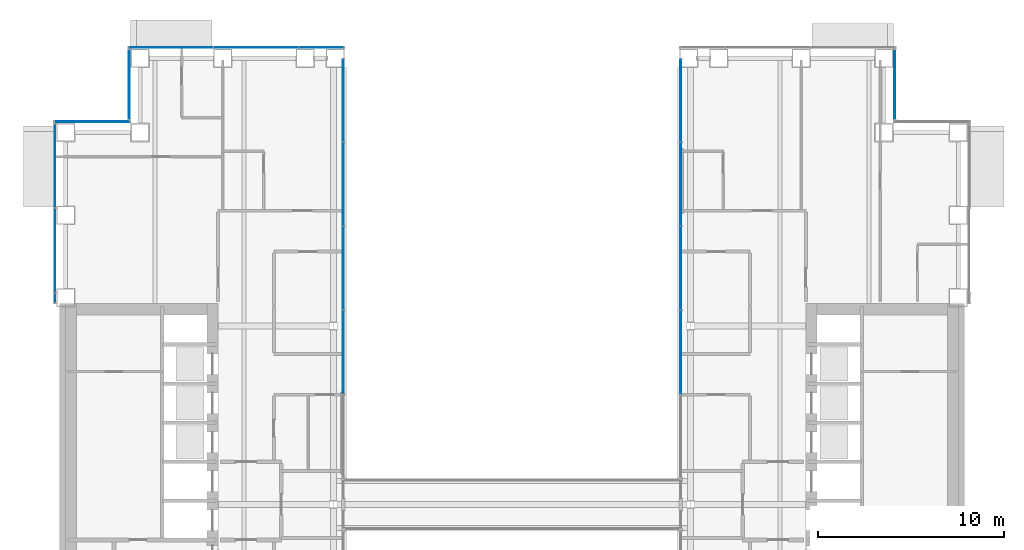
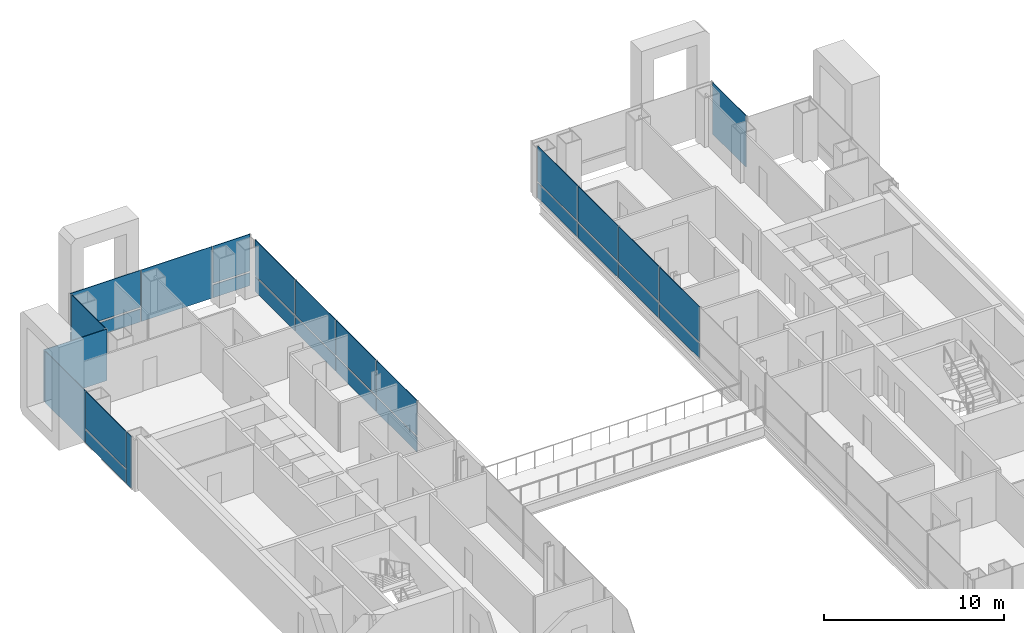
# One storey, part 12 of 21: 28 plates, 7 elements without a shape of their own.
"""IFC4 building model written with IfcOpenShell, lengths in metres."""

from ifc_helpers import new_model, si_unit, direction, frame, origin, origin_2d, place, context, subcontext, project, spatial, rectangle, extrude, material, layer, layer_set, type_object, element, aggregate, save


model = new_model("IFC4")

# Units and contexts
model_context = context("Model", 3, precision=1e-05, world=origin(), true_north=direction((0.0, 1.0)))
body_context = subcontext(model_context, "Body", "Model", "MODEL_VIEW")
ifc_project = project(units=[si_unit("LENGTHUNIT", "METRE"), si_unit("AREAUNIT", "SQUARE_METRE"), si_unit("VOLUMEUNIT", "CUBIC_METRE"), si_unit("PLANEANGLEUNIT", "RADIAN"), si_unit("MASSUNIT", "GRAM", prefix="KILO")], contexts=[model_context])

# Site, building, storey
site_placement = place(None, origin())
site = spatial("IfcSite", under=ifc_project, at=site_placement, CompositionType="ELEMENT")
building_placement = place(site_placement, origin())
building = spatial("IfcBuilding", under=site, at=building_placement, Name="Cobrizo Arcos Hotel Tower", CompositionType="ELEMENT")
storey_placement = place(building_placement, frame((0.0, 0.0, 74.0)))
storey = spatial("IfcBuildingStorey", under=building, at=storey_placement, Name="L17", CompositionType="ELEMENT", Elevation=74.0)

# Curtain wall, plates
ifc_material_1 = material(Name="Aluminium 6063-T6 anodised bronze", Category="aluminium")
curtain_wall_type_1 = type_object("IfcCurtainWallType", Name="CW-A guest facade", PredefinedType="NOTDEFINED", material=ifc_material_1)
curtain_wall_1_placement = place(storey_placement, origin())
curtain_wall_1 = element("IfcCurtainWall", 1, at=curtain_wall_1_placement, inside=storey, type_object=curtain_wall_type_1, Name="CW-A L17 N face", PredefinedType="NOTDEFINED")
ifc_material_2 = material(Name="Glass clear laminated low-e", Category="glass")
ifc_layer_1 = layer(ifc_material_2, 0.0400390625)
ifc_layer_set_1 = layer_set([ifc_layer_1], Name="CW-A glass panel")
plate_type_1 = type_object("IfcPlateType", Name="CW-A glass panel", PredefinedType="CURTAIN_PANEL", material=ifc_layer_set_1)
plate_1_placement = place(storey_placement, frame((-10.251220703125, 24.574951171875, 0.990234375), z_axis=(0.0, 0.0, 1.0), x_axis=(-1.0, 0.0, 0.0)))
plate_1 = element("IfcPlate", 2, at=plate_1_placement, type_object=plate_type_1, Name="CW-A glass panel 736", PredefinedType="CURTAIN_PANEL", context=body_context, shape_type="SweptSolid", body=[
    extrude(rectangle(XDim=2.38232421875, YDim=0.0400390625, at=origin_2d()), origin(), (0.0, 0.0, 1.0), 2.510009765625),
])
plate_2_placement = place(storey_placement, frame((-18.340576171875, 24.574951171875, 0.990234375), z_axis=(0.0, 0.0, 1.0), x_axis=(-1.0, 0.0, 0.0)))
plate_2 = element("IfcPlate", 3, at=plate_2_placement, type_object=plate_type_1, Name="CW-A glass panel 738", PredefinedType="CURTAIN_PANEL", context=body_context, shape_type="SweptSolid", body=[
    extrude(rectangle(XDim=4.498779296875, YDim=0.0400390625, at=origin_2d()), origin(), (0.0, 0.0, 1.0), 2.510009765625),
])

# Curtain wall, plate
curtain_wall_2_placement = place(storey_placement, origin())
curtain_wall_2 = element("IfcCurtainWall", 4, at=curtain_wall_2_placement, inside=storey, type_object=curtain_wall_type_1, Name="CW-A L17 W face", PredefinedType="NOTDEFINED")
plate_3_placement = place(storey_placement, frame((-24.574951171875, 13.666748046875, 0.990234375), z_axis=(0.0, 0.0, 1.0), x_axis=(0.0, -1.0, 0.0)))
plate_3 = element("IfcPlate", 5, at=plate_3_placement, type_object=plate_type_1, Name="CW-A glass panel 742", PredefinedType="CURTAIN_PANEL", context=body_context, shape_type="SweptSolid", body=[
    extrude(rectangle(XDim=4.49560546875, YDim=0.0400390625, at=origin_2d()), origin(), (0.0, 0.0, 1.0), 2.510009765625),
])

curtain_wall_3_placement = place(storey_placement, origin())
curtain_wall_3 = element("IfcCurtainWall", 6, at=curtain_wall_3_placement, inside=storey, type_object=curtain_wall_type_1, Name="CW-A L17 E face", PredefinedType="NOTDEFINED")
ifc_material_3 = material(Name="Aluminium composite panel pale metal", Category="aluminium")
ifc_layer_2 = layer(ifc_material_3, 0.0400390625)
ifc_layer_set_2 = layer_set([ifc_layer_2], Name="CW-A spandrel panel")
plate_type_2 = type_object("IfcPlateType", Name="CW-A spandrel panel", PredefinedType="CURTAIN_PANEL", material=ifc_layer_set_2)
plate_4_placement = place(storey_placement, frame((20.574951171875, 22.574951171875, 0.0), z_axis=(0.0, 0.0, 1.0), x_axis=(0.0, 1.0, 0.0)))
plate_4 = element("IfcPlate", 7, at=plate_4_placement, type_object=plate_type_2, Name="CW-A spandrel panel 732", PredefinedType="CURTAIN_PANEL", context=body_context, shape_type="SweptSolid", body=[
    extrude(rectangle(XDim=3.72998046875, YDim=0.0400390625, at=origin_2d()), origin(), (0.0, 0.0, 1.0), 3.5),
])
aggregate(curtain_wall_3, [plate_4])

# Plate
plate_5_placement = place(storey_placement, frame((-10.251220703125, 24.574951171875, 0.0), z_axis=(0.0, 0.0, 1.0), x_axis=(-1.0, 0.0, 0.0)))
plate_5 = element("IfcPlate", 8, at=plate_5_placement, type_object=plate_type_2, Name="CW-A spandrel panel 736", PredefinedType="CURTAIN_PANEL", context=body_context, shape_type="SweptSolid", body=[
    extrude(rectangle(XDim=2.38232421875, YDim=0.0400390625, at=origin_2d()), origin(), (0.0, 0.0, 1.0), 0.8701171875),
])

plate_6_placement = place(storey_placement, frame((-13.7666015625, 24.574951171875, 0.0), z_axis=(0.0, 0.0, 1.0), x_axis=(-1.0, 0.0, 0.0)))
plate_6 = element("IfcPlate", 9, at=plate_6_placement, type_object=plate_type_2, Name="CW-A spandrel panel 737", PredefinedType="CURTAIN_PANEL", context=body_context, shape_type="SweptSolid", body=[
    extrude(rectangle(XDim=4.52880859375, YDim=0.0400390625, at=origin_2d()), origin(), (0.0, 0.0, 1.0), 3.5),
])

plate_7_placement = place(storey_placement, frame((-18.340576171875, 24.574951171875, 0.0), z_axis=(0.0, 0.0, 1.0), x_axis=(-1.0, 0.0, 0.0)))
plate_7 = element("IfcPlate", 10, at=plate_7_placement, type_object=plate_type_2, Name="CW-A spandrel panel 738", PredefinedType="CURTAIN_PANEL", context=body_context, shape_type="SweptSolid", body=[
    extrude(rectangle(XDim=4.498779296875, YDim=0.0400390625, at=origin_2d()), origin(), (0.0, 0.0, 1.0), 0.8701171875),
])

aggregate(curtain_wall_1, [plate_5, plate_1, plate_6, plate_7, plate_2])

# Curtain wall, plate
curtain_wall_4_placement = place(storey_placement, origin())
curtain_wall_4 = element("IfcCurtainWall", 11, at=curtain_wall_4_placement, inside=storey, type_object=curtain_wall_type_1, Name="CW-A L17 W face", PredefinedType="NOTDEFINED")
plate_8_placement = place(storey_placement, frame((-20.574951171875, 22.574951171875, 0.0), z_axis=(0.0, 0.0, 1.0), x_axis=(0.0, -1.0, 0.0)))
plate_8 = element("IfcPlate", 12, at=plate_8_placement, type_object=plate_type_2, Name="CW-A spandrel panel 739", PredefinedType="CURTAIN_PANEL", context=body_context, shape_type="SweptSolid", body=[
    extrude(rectangle(XDim=3.72998046875, YDim=0.0400390625, at=origin_2d()), origin(), (0.0, 0.0, 1.0), 3.5),
])
aggregate(curtain_wall_4, [plate_8])

curtain_wall_5_placement = place(storey_placement, origin())
curtain_wall_5 = element("IfcCurtainWall", 13, at=curtain_wall_5_placement, inside=storey, type_object=curtain_wall_type_1, Name="CW-A L17 N face", PredefinedType="NOTDEFINED")
plate_9_placement = place(storey_placement, frame((-22.574951171875, 20.574951171875, 0.0), z_axis=(0.0, 0.0, 1.0), x_axis=(-1.0, 0.0, 0.0)))
plate_9 = element("IfcPlate", 14, at=plate_9_placement, type_object=plate_type_2, Name="CW-A spandrel panel 740", PredefinedType="CURTAIN_PANEL", context=body_context, shape_type="SweptSolid", body=[
    extrude(rectangle(XDim=4.030029296875, YDim=0.0400390625, at=origin_2d()), origin(), (0.0, 0.0, 1.0), 3.5),
])
aggregate(curtain_wall_5, [plate_9])

# Plate
plate_10_placement = place(storey_placement, frame((-24.574951171875, 18.207275390625, 0.0), z_axis=(0.0, 0.0, 1.0), x_axis=(0.0, -1.0, 0.0)))
plate_10 = element("IfcPlate", 15, at=plate_10_placement, type_object=plate_type_2, Name="CW-A spandrel panel 741", PredefinedType="CURTAIN_PANEL", context=body_context, shape_type="SweptSolid", body=[
    extrude(rectangle(XDim=4.465576171875, YDim=0.0400390625, at=origin_2d()), origin(), (0.0, 0.0, 1.0), 3.5),
])

plate_11_placement = place(storey_placement, frame((-24.574951171875, 13.666748046875, 0.0), z_axis=(0.0, 0.0, 1.0), x_axis=(0.0, -1.0, 0.0)))
plate_11 = element("IfcPlate", 16, at=plate_11_placement, type_object=plate_type_2, Name="CW-A spandrel panel 742", PredefinedType="CURTAIN_PANEL", context=body_context, shape_type="SweptSolid", body=[
    extrude(rectangle(XDim=4.49560546875, YDim=0.0400390625, at=origin_2d()), origin(), (0.0, 0.0, 1.0), 0.8701171875),
])

plate_12_placement = place(storey_placement, frame((-24.574951171875, 11.109375, 0.0), z_axis=(0.0, 0.0, 1.0), x_axis=(0.0, -1.0, 0.0)))
plate_12 = element("IfcPlate", 17, at=plate_12_placement, type_object=plate_type_2, Name="CW-A spandrel panel 743", PredefinedType="CURTAIN_PANEL", context=body_context, shape_type="SweptSolid", body=[
    extrude(rectangle(XDim=0.498779296875, YDim=0.0400390625, at=origin_2d()), origin(), (0.0, 0.0, 1.0), 3.5),
])

aggregate(curtain_wall_2, [plate_10, plate_11, plate_3, plate_12])

# Curtain wall, plates
curtain_wall_type_2 = type_object("IfcCurtainWallType", Name="CW-F void screen", PredefinedType="NOTDEFINED", material=ifc_material_1)
curtain_wall_6_placement = place(storey_placement, origin())
curtain_wall_6 = element("IfcCurtainWall", 18, at=curtain_wall_6_placement, inside=storey, type_object=curtain_wall_type_2, Name="CW-F L17 void screen A", PredefinedType="NOTDEFINED")
ifc_layer_3 = layer(ifc_material_2, 0.0400390625)
ifc_layer_set_3 = layer_set([ifc_layer_3], Name="CW-F glass panel")
plate_type_3 = type_object("IfcPlateType", Name="CW-F glass panel", PredefinedType="CURTAIN_PANEL", material=ifc_layer_set_3)
plate_13_placement = place(storey_placement, frame((9.074951171875, 8.179931640625, 0.0), z_axis=(0.0, 0.0, 1.0), x_axis=(0.0, 1.0, 0.0)))
plate_13 = element("IfcPlate", 19, at=plate_13_placement, type_object=plate_type_3, Name="CW-F glass panel 2514", PredefinedType="CURTAIN_PANEL", context=body_context, shape_type="SweptSolid", body=[
    extrude(rectangle(XDim=4.4599609375, YDim=0.0400390625, at=origin_2d()), origin(), (0.0, 0.0, 1.0), 0.989990234375),
])
plate_14_placement = place(storey_placement, frame((9.074951171875, 8.179931640625, 1.10986328125), z_axis=(0.0, 0.0, 1.0), x_axis=(0.0, 1.0, 0.0)))
plate_14 = element("IfcPlate", 20, at=plate_14_placement, type_object=plate_type_3, Name="CW-F glass panel 2514", PredefinedType="CURTAIN_PANEL", context=body_context, shape_type="SweptSolid", body=[
    extrude(rectangle(XDim=4.4599609375, YDim=0.0400390625, at=origin_2d()), origin(), (0.0, 0.0, 1.0), 2.389892578125),
])
plate_15_placement = place(storey_placement, frame((9.074951171875, 12.699951171875, 0.0), z_axis=(0.0, 0.0, 1.0), x_axis=(0.0, 1.0, 0.0)))
plate_15 = element("IfcPlate", 21, at=plate_15_placement, type_object=plate_type_3, Name="CW-F glass panel 2515", PredefinedType="CURTAIN_PANEL", context=body_context, shape_type="SweptSolid", body=[
    extrude(rectangle(XDim=4.4599609375, YDim=0.0400390625, at=origin_2d()), origin(), (0.0, 0.0, 1.0), 0.989990234375),
])
plate_16_placement = place(storey_placement, frame((9.074951171875, 12.699951171875, 1.10986328125), z_axis=(0.0, 0.0, 1.0), x_axis=(0.0, 1.0, 0.0)))
plate_16 = element("IfcPlate", 22, at=plate_16_placement, type_object=plate_type_3, Name="CW-F glass panel 2515", PredefinedType="CURTAIN_PANEL", context=body_context, shape_type="SweptSolid", body=[
    extrude(rectangle(XDim=4.4599609375, YDim=0.0400390625, at=origin_2d()), origin(), (0.0, 0.0, 1.0), 2.389892578125),
])
plate_17_placement = place(storey_placement, frame((9.074951171875, 17.219970703125, 0.0), z_axis=(0.0, 0.0, 1.0), x_axis=(0.0, 1.0, 0.0)))
plate_17 = element("IfcPlate", 23, at=plate_17_placement, type_object=plate_type_3, Name="CW-F glass panel 2516", PredefinedType="CURTAIN_PANEL", context=body_context, shape_type="SweptSolid", body=[
    extrude(rectangle(XDim=4.4599609375, YDim=0.0400390625, at=origin_2d()), origin(), (0.0, 0.0, 1.0), 0.989990234375),
])
plate_18_placement = place(storey_placement, frame((9.074951171875, 17.219970703125, 1.10986328125), z_axis=(0.0, 0.0, 1.0), x_axis=(0.0, 1.0, 0.0)))
plate_18 = element("IfcPlate", 24, at=plate_18_placement, type_object=plate_type_3, Name="CW-F glass panel 2516", PredefinedType="CURTAIN_PANEL", context=body_context, shape_type="SweptSolid", body=[
    extrude(rectangle(XDim=4.4599609375, YDim=0.0400390625, at=origin_2d()), origin(), (0.0, 0.0, 1.0), 2.389892578125),
])
plate_19_placement = place(storey_placement, frame((9.074951171875, 21.72509765625, 0.0), z_axis=(0.0, 0.0, 1.0), x_axis=(0.0, 1.0, 0.0)))
plate_19 = element("IfcPlate", 25, at=plate_19_placement, type_object=plate_type_3, Name="CW-F glass panel 2517", PredefinedType="CURTAIN_PANEL", context=body_context, shape_type="SweptSolid", body=[
    extrude(rectangle(XDim=4.429931640625, YDim=0.0400390625, at=origin_2d()), origin(), (0.0, 0.0, 1.0), 0.989990234375),
])
plate_20_placement = place(storey_placement, frame((9.074951171875, 21.72509765625, 1.10986328125), z_axis=(0.0, 0.0, 1.0), x_axis=(0.0, 1.0, 0.0)))
plate_20 = element("IfcPlate", 26, at=plate_20_placement, type_object=plate_type_3, Name="CW-F glass panel 2517", PredefinedType="CURTAIN_PANEL", context=body_context, shape_type="SweptSolid", body=[
    extrude(rectangle(XDim=4.429931640625, YDim=0.0400390625, at=origin_2d()), origin(), (0.0, 0.0, 1.0), 2.389892578125),
])
aggregate(curtain_wall_6, [plate_13, plate_14, plate_15, plate_16, plate_17, plate_18, plate_19, plate_20])

curtain_wall_7_placement = place(storey_placement, origin())
curtain_wall_7 = element("IfcCurtainWall", 27, at=curtain_wall_7_placement, inside=storey, type_object=curtain_wall_type_2, Name="CW-F L17 void screen A", PredefinedType="NOTDEFINED")
plate_21_placement = place(storey_placement, frame((-9.074951171875, 21.72509765625, 0.0), z_axis=(0.0, 0.0, 1.0), x_axis=(0.0, -1.0, 0.0)))
plate_21 = element("IfcPlate", 28, at=plate_21_placement, type_object=plate_type_3, Name="CW-F glass panel 2518", PredefinedType="CURTAIN_PANEL", context=body_context, shape_type="SweptSolid", body=[
    extrude(rectangle(XDim=4.429931640625, YDim=0.0400390625, at=origin_2d()), origin(), (0.0, 0.0, 1.0), 0.989990234375),
])
plate_22_placement = place(storey_placement, frame((-9.074951171875, 21.72509765625, 1.10986328125), z_axis=(0.0, 0.0, 1.0), x_axis=(0.0, -1.0, 0.0)))
plate_22 = element("IfcPlate", 29, at=plate_22_placement, type_object=plate_type_3, Name="CW-F glass panel 2518", PredefinedType="CURTAIN_PANEL", context=body_context, shape_type="SweptSolid", body=[
    extrude(rectangle(XDim=4.429931640625, YDim=0.0400390625, at=origin_2d()), origin(), (0.0, 0.0, 1.0), 2.389892578125),
])
plate_23_placement = place(storey_placement, frame((-9.074951171875, 17.219970703125, 0.0), z_axis=(0.0, 0.0, 1.0), x_axis=(0.0, -1.0, 0.0)))
plate_23 = element("IfcPlate", 30, at=plate_23_placement, type_object=plate_type_3, Name="CW-F glass panel 2519", PredefinedType="CURTAIN_PANEL", context=body_context, shape_type="SweptSolid", body=[
    extrude(rectangle(XDim=4.4599609375, YDim=0.0400390625, at=origin_2d()), origin(), (0.0, 0.0, 1.0), 0.989990234375),
])
plate_24_placement = place(storey_placement, frame((-9.074951171875, 17.219970703125, 1.10986328125), z_axis=(0.0, 0.0, 1.0), x_axis=(0.0, -1.0, 0.0)))
plate_24 = element("IfcPlate", 31, at=plate_24_placement, type_object=plate_type_3, Name="CW-F glass panel 2519", PredefinedType="CURTAIN_PANEL", context=body_context, shape_type="SweptSolid", body=[
    extrude(rectangle(XDim=4.4599609375, YDim=0.0400390625, at=origin_2d()), origin(), (0.0, 0.0, 1.0), 2.389892578125),
])
plate_25_placement = place(storey_placement, frame((-9.074951171875, 12.699951171875, 0.0), z_axis=(0.0, 0.0, 1.0), x_axis=(0.0, -1.0, 0.0)))
plate_25 = element("IfcPlate", 32, at=plate_25_placement, type_object=plate_type_3, Name="CW-F glass panel 2520", PredefinedType="CURTAIN_PANEL", context=body_context, shape_type="SweptSolid", body=[
    extrude(rectangle(XDim=4.4599609375, YDim=0.0400390625, at=origin_2d()), origin(), (0.0, 0.0, 1.0), 0.989990234375),
])
plate_26_placement = place(storey_placement, frame((-9.074951171875, 12.699951171875, 1.10986328125), z_axis=(0.0, 0.0, 1.0), x_axis=(0.0, -1.0, 0.0)))
plate_26 = element("IfcPlate", 33, at=plate_26_placement, type_object=plate_type_3, Name="CW-F glass panel 2520", PredefinedType="CURTAIN_PANEL", context=body_context, shape_type="SweptSolid", body=[
    extrude(rectangle(XDim=4.4599609375, YDim=0.0400390625, at=origin_2d()), origin(), (0.0, 0.0, 1.0), 2.389892578125),
])
plate_27_placement = place(storey_placement, frame((-9.074951171875, 8.179931640625, 0.0), z_axis=(0.0, 0.0, 1.0), x_axis=(0.0, -1.0, 0.0)))
plate_27 = element("IfcPlate", 34, at=plate_27_placement, type_object=plate_type_3, Name="CW-F glass panel 2521", PredefinedType="CURTAIN_PANEL", context=body_context, shape_type="SweptSolid", body=[
    extrude(rectangle(XDim=4.4599609375, YDim=0.0400390625, at=origin_2d()), origin(), (0.0, 0.0, 1.0), 0.989990234375),
])
plate_28_placement = place(storey_placement, frame((-9.074951171875, 8.179931640625, 1.10986328125), z_axis=(0.0, 0.0, 1.0), x_axis=(0.0, -1.0, 0.0)))
plate_28 = element("IfcPlate", 35, at=plate_28_placement, type_object=plate_type_3, Name="CW-F glass panel 2521", PredefinedType="CURTAIN_PANEL", context=body_context, shape_type="SweptSolid", body=[
    extrude(rectangle(XDim=4.4599609375, YDim=0.0400390625, at=origin_2d()), origin(), (0.0, 0.0, 1.0), 2.389892578125),
])
aggregate(curtain_wall_7, [plate_21, plate_22, plate_23, plate_24, plate_25, plate_26, plate_27, plate_28])

save(model, "model.ifc")
